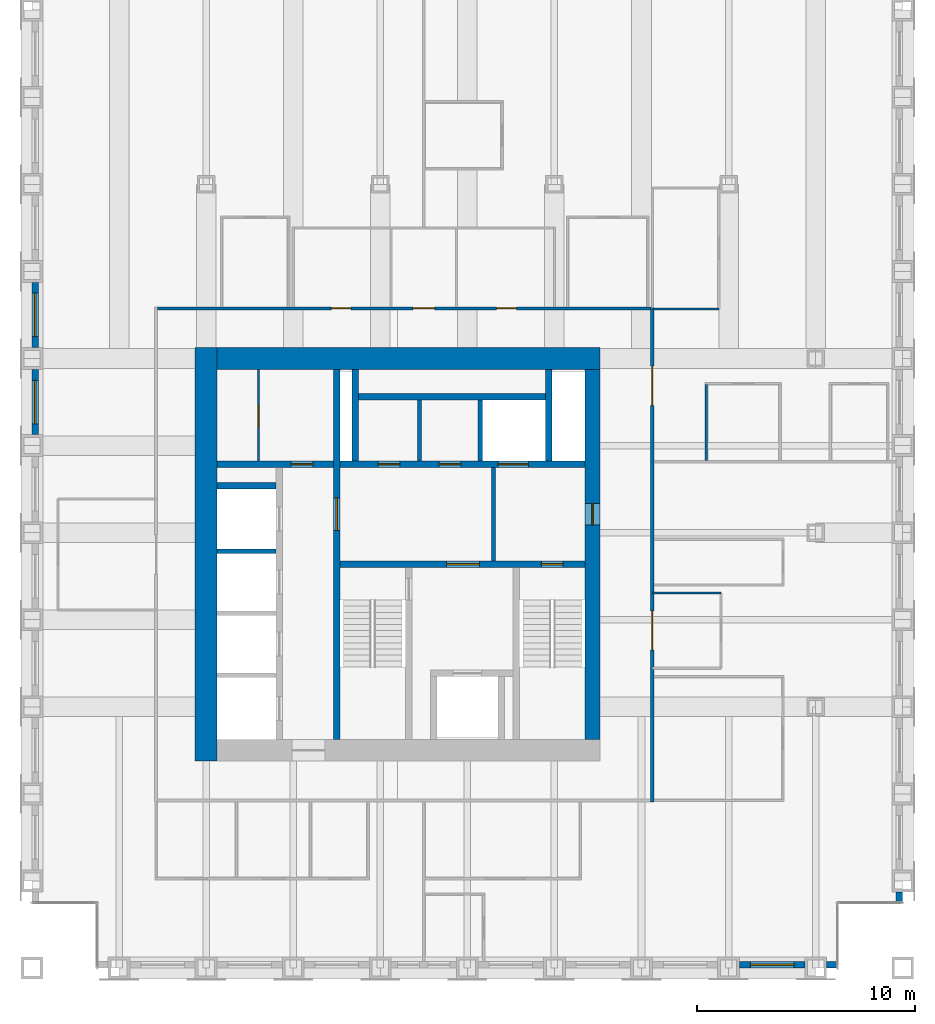
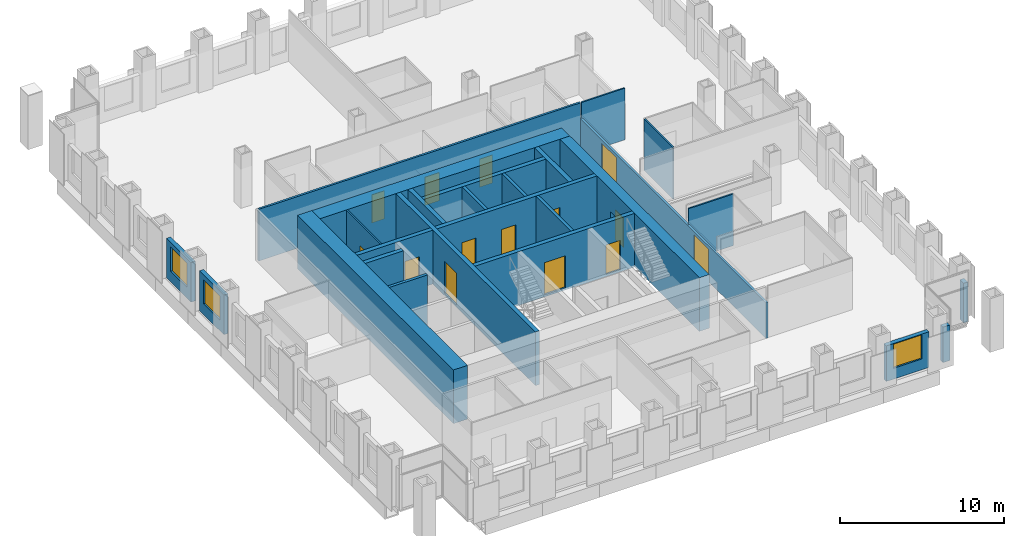
# One storey, part 10 of 14: 26 walls, 14 doors, 3 windows, 17 openings.
"""IFC4 building model written with IfcOpenShell, lengths in metres."""

from ifc_helpers import new_model, si_unit, direction, frame, frame_2d, origin, place, context, subcontext, project, spatial, rectangle, extrude, material, layer, layer_set, type_object, element, fill, save


model = new_model("IFC4")

# Units and contexts
model_context = context("Model", 3, precision=1e-05, world=origin(), true_north=direction((0.0, 1.0)))
body_context = subcontext(model_context, "Body", "Model", "MODEL_VIEW")
ifc_project = project(units=[si_unit("LENGTHUNIT", "METRE"), si_unit("AREAUNIT", "SQUARE_METRE"), si_unit("VOLUMEUNIT", "CUBIC_METRE"), si_unit("PLANEANGLEUNIT", "RADIAN"), si_unit("MASSUNIT", "GRAM", prefix="KILO")], contexts=[model_context])

# Site, building, storey
site_placement = place(None, origin())
site = spatial("IfcSite", under=ifc_project, at=site_placement, CompositionType="ELEMENT")
building_placement = place(site_placement, origin())
building = spatial("IfcBuilding", under=site, at=building_placement, Name="Rimbunsela Tower", CompositionType="ELEMENT")
storey_placement = place(building_placement, frame((0.0, 0.0, 234.199951171875)))
storey = spatial("IfcBuildingStorey", under=building, at=storey_placement, Name="L56", CompositionType="ELEMENT", Elevation=234.199951171875)

# Wall, opening, door
ifc_material_1 = material(Name="Concrete fc' 80 MPa", Category="concrete")
ifc_layer_1 = layer(ifc_material_1, 0.300048828125)
ifc_layer_set_1 = layer_set([ifc_layer_1], Name="Core internal wall 300")
wall_type_1 = type_object("IfcWallType", Name="Core internal wall 300", PredefinedType="SHEAR", material=ifc_layer_set_1)
wall_1_placement = place(storey_placement, frame((24.0, 18.5, -0.14990234375), z_axis=(0.0, 0.0, 1.0), x_axis=(0.0, 1.0, 0.0)))
wall_1 = element("IfcWall", 1, at=wall_1_placement, inside=storey, type_object=wall_type_1, Name="Core wall at stair A", PredefinedType="SHEAR", context=body_context, shape_type="SweptSolid", body=[
    extrude(rectangle(XDim=17.0, YDim=0.300048828125, at=frame_2d((8.5, 0.0))), origin(), (0.0, 0.0, 1.0), 4.0),
])
opening_1_placement = place(wall_1_placement, frame((9.60009765625, 0.0, 0.14990234375)))
opening_1 = element("IfcOpeningElement", 2, at=opening_1_placement, cuts=wall_1, Name="Opening D03", PredefinedType="OPENING", context=body_context, shape_type="SweptSolid", body=[
    extrude(rectangle(XDim=1.5, YDim=2.39990234375, at=frame_2d((0.75, 1.199951171875))), frame((0.0, 0.159912109375, 0.0), z_axis=(0.0, -1.0, 0.0), x_axis=(1.0, 0.0, 0.0)), (0.0, 0.0, 1.0), 0.320068359375),
])
ifc_material_2 = material(Name="Steel door, fire rated", Category="steel")
door_type_1 = type_object("IfcDoorType", Name="Core lobby door 1500", OperationType="DOUBLE_DOOR_DOUBLE_SWING", PredefinedType="DOOR", material=ifc_material_2)
door_1_placement = place(opening_1_placement, origin())
door_1 = element("IfcDoor", 3, at=door_1_placement, inside=storey, type_object=door_type_1, Name="West lobby door", OperationType="DOUBLE_DOOR_DOUBLE_SWING", OverallHeight=2.39990234375, OverallWidth=1.5, PredefinedType="DOOR", context=body_context, shape_type="SweptSolid", body=[
    extrude(rectangle(XDim=1.5, YDim=2.39990234375, at=frame_2d((0.75, 1.199951171875))), frame((0.0, 0.02490234375, 0.0), z_axis=(0.0, -1.0, 0.0), x_axis=(1.0, 0.0, 0.0)), (0.0, 0.0, 1.0), 0.050048828125),
])
fill(opening_1, door_1)

# Wall, openings, doors
wall_2_placement = place(storey_placement, frame((24.14990234375, 26.550048828125, -0.14990234375), z_axis=(0.0, 0.0, 1.0), x_axis=(1.0, 0.0, 0.0)))
wall_2 = element("IfcWall", 4, at=wall_2_placement, inside=storey, type_object=wall_type_1, Name="Core wall lobby south", PredefinedType="SHEAR", context=body_context, shape_type="SweptSolid", body=[
    extrude(rectangle(XDim=11.25, YDim=0.300048828125, at=frame_2d((5.625, 0.0))), origin(), (0.0, 0.0, 1.0), 4.0),
])
opening_2_placement = place(wall_2_placement, frame((9.25, 0.0, 0.14990234375)))
opening_2 = element("IfcOpeningElement", 5, at=opening_2_placement, cuts=wall_2, Name="Opening D01", PredefinedType="OPENING", context=body_context, shape_type="SweptSolid", body=[
    extrude(rectangle(XDim=1.0, YDim=2.199951171875, at=frame_2d((0.5, 1.10009765625))), frame((0.0, 0.159912109375, 0.0), z_axis=(0.0, -1.0, 0.0), x_axis=(1.0, 0.0, 0.0)), (0.0, 0.0, 1.0), 0.320068359375),
])
opening_3_placement = place(wall_2_placement, frame((4.89990234375, 0.0, 0.14990234375)))
opening_3 = element("IfcOpeningElement", 6, at=opening_3_placement, cuts=wall_2, Name="Opening D03", PredefinedType="OPENING", context=body_context, shape_type="SweptSolid", body=[
    extrude(rectangle(XDim=1.5, YDim=2.39990234375, at=frame_2d((0.75, 1.199951171875))), frame((0.0, 0.159912109375, 0.0), z_axis=(0.0, -1.0, 0.0), x_axis=(1.0, 0.0, 0.0)), (0.0, 0.0, 1.0), 0.320068359375),
])
door_2_placement = place(opening_3_placement, origin())
door_2 = element("IfcDoor", 7, at=door_2_placement, inside=storey, type_object=door_type_1, Name="Firefighting lobby door", OperationType="DOUBLE_DOOR_DOUBLE_SWING", OverallHeight=2.39990234375, OverallWidth=1.5, PredefinedType="DOOR", context=body_context, shape_type="SweptSolid", body=[
    extrude(rectangle(XDim=1.5, YDim=2.39990234375, at=frame_2d((0.75, 1.199951171875))), frame((0.0, 0.02490234375, 0.0), z_axis=(0.0, -1.0, 0.0), x_axis=(1.0, 0.0, 0.0)), (0.0, 0.0, 1.0), 0.050048828125),
])
fill(opening_3, door_2)
ifc_material_3 = material(Name="Steel door, fire rated", Category="steel")
door_type_2 = type_object("IfcDoorType", Name="Stair door 1000", OperationType="SINGLE_SWING_RIGHT", PredefinedType="DOOR", material=ifc_material_3)
door_3_placement = place(opening_2_placement, frame((1.0, 0.0, 0.0), z_axis=(0.0, 0.0, 1.0), x_axis=(-1.0, 0.0, 0.0)))
door_3 = element("IfcDoor", 8, at=door_3_placement, inside=storey, type_object=door_type_2, Name="Stair B door", OperationType="SINGLE_SWING_RIGHT", OverallHeight=2.199951171875, OverallWidth=1.0, PredefinedType="DOOR", context=body_context, shape_type="SweptSolid", body=[
    extrude(rectangle(XDim=1.0, YDim=2.199951171875, at=frame_2d((0.5, 1.10009765625))), frame((0.0, 0.02490234375, 0.0), z_axis=(0.0, -1.0, 0.0), x_axis=(1.0, 0.0, 0.0)), (0.0, 0.0, 1.0), 0.050048828125),
])
fill(opening_2, door_3)

wall_3_placement = place(storey_placement, frame((24.14990234375, 31.14990234375, -0.14990234375), z_axis=(0.0, 0.0, 1.0), x_axis=(1.0, 0.0, 0.0)))
wall_3 = element("IfcWall", 9, at=wall_3_placement, inside=storey, type_object=wall_type_1, Name="Lift shaft front north", PredefinedType="SHEAR", context=body_context, shape_type="SweptSolid", body=[
    extrude(rectangle(XDim=11.25, YDim=0.300048828125, at=frame_2d((5.625, 0.0))), origin(), (0.0, 0.0, 1.0), 4.0),
])
opening_4_placement = place(wall_3_placement, frame((1.75, 0.0, 0.14990234375)))
opening_4 = element("IfcOpeningElement", 10, at=opening_4_placement, cuts=wall_3, Name="Opening D19", PredefinedType="OPENING", context=body_context, shape_type="SweptSolid", body=[
    extrude(rectangle(XDim=1.0, YDim=2.199951171875, at=frame_2d((0.5, 1.10009765625))), frame((0.0, 0.159912109375, 0.0), z_axis=(0.0, -1.0, 0.0), x_axis=(1.0, 0.0, 0.0)), (0.0, 0.0, 1.0), 0.320068359375),
])
opening_5_placement = place(wall_3_placement, frame((4.550048828125, 0.0, 0.14990234375)))
opening_5 = element("IfcOpeningElement", 11, at=opening_5_placement, cuts=wall_3, Name="Opening D19", PredefinedType="OPENING", context=body_context, shape_type="SweptSolid", body=[
    extrude(rectangle(XDim=1.0, YDim=2.199951171875, at=frame_2d((0.5, 1.10009765625))), frame((0.0, 0.159912109375, 0.0), z_axis=(0.0, -1.0, 0.0), x_axis=(1.0, 0.0, 0.0)), (0.0, 0.0, 1.0), 0.320068359375),
])
opening_6_placement = place(wall_3_placement, frame((7.25, 0.0, 0.14990234375)))
opening_6 = element("IfcOpeningElement", 12, at=opening_6_placement, cuts=wall_3, Name="Opening LD3", PredefinedType="OPENING", context=body_context, shape_type="SweptSolid", body=[
    extrude(rectangle(XDim=1.39990234375, YDim=2.39990234375, at=frame_2d((0.699951171875, 1.199951171875))), frame((0.0, 0.159912109375, 0.0), z_axis=(0.0, -1.0, 0.0), x_axis=(1.0, 0.0, 0.0)), (0.0, 0.0, 1.0), 0.320068359375),
])
ifc_material_4 = material(Name="Steel door, fire rated", Category="steel")
door_type_3 = type_object("IfcDoorType", Name="Lift landing door 1400", OperationType="DOUBLE_DOOR_SLIDING", PredefinedType="DOOR", material=ifc_material_4)
door_4_placement = place(opening_6_placement, origin())
door_4 = element("IfcDoor", 13, at=door_4_placement, inside=storey, type_object=door_type_3, Name="Lift landing door FL2", OperationType="DOUBLE_DOOR_SLIDING", OverallHeight=2.39990234375, OverallWidth=1.39990234375, PredefinedType="DOOR", context=body_context, shape_type="SweptSolid", body=[
    extrude(rectangle(XDim=1.39990234375, YDim=2.39990234375, at=frame_2d((0.699951171875, 1.199951171875))), frame((0.0, 0.02490234375, 0.0), z_axis=(0.0, -1.0, 0.0), x_axis=(1.0, 0.0, 0.0)), (0.0, 0.0, 1.0), 0.050048828125),
])
fill(opening_6, door_4)
ifc_material_5 = material(Name="Steel door, fire rated", Category="steel")
door_type_4 = type_object("IfcDoorType", Name="Service door 1000 fire rated", OperationType="SINGLE_SWING_LEFT", PredefinedType="DOOR", material=ifc_material_5)
door_5_placement = place(opening_4_placement, origin())
door_5 = element("IfcDoor", 14, at=door_5_placement, inside=storey, type_object=door_type_4, Name="IT room door", OperationType="SINGLE_SWING_LEFT", OverallHeight=2.199951171875, OverallWidth=1.0, PredefinedType="DOOR", context=body_context, shape_type="SweptSolid", body=[
    extrude(rectangle(XDim=1.0, YDim=2.199951171875, at=frame_2d((0.5, 1.10009765625))), frame((0.0, 0.02490234375, 0.0), z_axis=(0.0, -1.0, 0.0), x_axis=(1.0, 0.0, 0.0)), (0.0, 0.0, 1.0), 0.050048828125),
])
fill(opening_4, door_5)
door_6_placement = place(opening_5_placement, origin())
door_6 = element("IfcDoor", 15, at=door_6_placement, inside=storey, type_object=door_type_4, Name="Tenant store door", OperationType="SINGLE_SWING_LEFT", OverallHeight=2.199951171875, OverallWidth=1.0, PredefinedType="DOOR", context=body_context, shape_type="SweptSolid", body=[
    extrude(rectangle(XDim=1.0, YDim=2.199951171875, at=frame_2d((0.5, 1.10009765625))), frame((0.0, 0.02490234375, 0.0), z_axis=(0.0, -1.0, 0.0), x_axis=(1.0, 0.0, 0.0)), (0.0, 0.0, 1.0), 0.050048828125),
])
fill(opening_5, door_6)

# Wall, opening, door
wall_4_placement = place(storey_placement, frame((18.5, 31.14990234375, -0.14990234375), z_axis=(0.0, 0.0, 1.0), x_axis=(1.0, 0.0, 0.0)))
wall_4 = element("IfcWall", 16, at=wall_4_placement, inside=storey, type_object=wall_type_1, Name="Store wall", PredefinedType="SHEAR", context=body_context, shape_type="SweptSolid", body=[
    extrude(rectangle(XDim=5.35009765625, YDim=0.300048828125, at=frame_2d((2.675048828125, 0.0))), origin(), (0.0, 0.0, 1.0), 4.0),
])
opening_7_placement = place(wall_4_placement, frame((3.39990234375, 0.0, 0.14990234375)))
opening_7 = element("IfcOpeningElement", 17, at=opening_7_placement, cuts=wall_4, Name="Opening D19", PredefinedType="OPENING", context=body_context, shape_type="SweptSolid", body=[
    extrude(rectangle(XDim=1.0, YDim=2.199951171875, at=frame_2d((0.5, 1.10009765625))), frame((0.0, 0.159912109375, 0.0), z_axis=(0.0, -1.0, 0.0), x_axis=(1.0, 0.0, 0.0)), (0.0, 0.0, 1.0), 0.320068359375),
])
door_7_placement = place(opening_7_placement, origin())
door_7 = element("IfcDoor", 18, at=door_7_placement, inside=storey, type_object=door_type_4, Name="Cleaners store door", OperationType="SINGLE_SWING_LEFT", OverallHeight=2.199951171875, OverallWidth=1.0, PredefinedType="DOOR", context=body_context, shape_type="SweptSolid", body=[
    extrude(rectangle(XDim=1.0, YDim=2.199951171875, at=frame_2d((0.5, 1.10009765625))), frame((0.0, 0.02490234375, 0.0), z_axis=(0.0, -1.0, 0.0), x_axis=(1.0, 0.0, 0.0)), (0.0, 0.0, 1.0), 0.050048828125),
])
fill(opening_7, door_7)

# Walls
wall_5_placement = place(storey_placement, frame((18.5, 30.14990234375, -0.14990234375), z_axis=(0.0, 0.0, 1.0), x_axis=(1.0, 0.0, 0.0)))
element("IfcWall", 19, at=wall_5_placement, inside=storey, type_object=wall_type_1, Name="Lift shaft rear west", PredefinedType="SHEAR", context=body_context, shape_type="SweptSolid", body=[
    extrude(rectangle(XDim=2.699951171875, YDim=0.300048828125, at=frame_2d((1.35009765625, 0.0))), origin(), (0.0, 0.0, 1.0), 4.0),
])
for number, where, z_axis, x_axis, name in (
    (20, (24.85009765625, 31.300048828125, -0.14990234375), (0.0, 0.0, 1.0), (0.0, 1.0, 0.0), "Riser wall"),
    (21, (33.75, 31.300048828125, -0.14990234375), (0.0, 0.0, 1.0), (0.0, 1.0, 0.0), "Riser wall"),
):
    element("IfcWall", number, at=place(storey_placement, frame(where, z_axis=z_axis, x_axis=x_axis)), inside=storey, type_object=wall_type_1, Name=name, PredefinedType="SHEAR", context=body_context, shape_type="SweptSolid", body=[
        extrude(rectangle(XDim=4.199951171875, YDim=0.300048828125, at=frame_2d((2.10009765625, 0.0))), origin(), (0.0, 0.0, 1.0), 4.0),
    ])
wall_6_placement = place(storey_placement, frame((25.0, 34.25, -0.14990234375), z_axis=(0.0, 0.0, 1.0), x_axis=(1.0, 0.0, 0.0)))
element("IfcWall", 22, at=wall_6_placement, inside=storey, type_object=wall_type_1, Name="Lift shaft rear north", PredefinedType="SHEAR", context=body_context, shape_type="SweptSolid", body=[
    extrude(rectangle(XDim=8.60009765625, YDim=0.300048828125, at=frame_2d((4.300048828125, 0.0))), origin(), (0.0, 0.0, 1.0), 4.0),
])

# Wall, opening, door
ifc_material_6 = material(Name="Concrete blockwork", Category="masonry")
ifc_layer_2 = layer(ifc_material_6, 0.10009765625)
ifc_layer_set_2 = layer_set([ifc_layer_2], Name="Core room partition 100")
wall_type_2 = type_object("IfcWallType", Name="Core room partition 100", PredefinedType="PARTITIONING", material=ifc_layer_set_2)
wall_7_placement = place(storey_placement, frame((20.39990234375, 31.300048828125, 0.0), z_axis=(0.0, 0.0, 1.0), x_axis=(0.0, 1.0, 0.0)))
wall_7 = element("IfcWall", 23, at=wall_7_placement, inside=storey, type_object=wall_type_2, Name="Equipment store wall", PredefinedType="PARTITIONING", context=body_context, shape_type="SweptSolid", body=[
    extrude(rectangle(XDim=4.199951171875, YDim=0.10009765625, at=frame_2d((2.10009765625, 0.0))), origin(), (0.0, 0.0, 1.0), 3.85009765625),
])
opening_8_placement = place(wall_7_placement, frame((1.550048828125, 0.0, 0.0)))
opening_8 = element("IfcOpeningElement", 24, at=opening_8_placement, cuts=wall_7, Name="Opening D19", PredefinedType="OPENING", context=body_context, shape_type="SweptSolid", body=[
    extrude(rectangle(XDim=1.0, YDim=2.199951171875, at=frame_2d((0.5, 1.10009765625))), frame((0.0, 0.06005859375, 0.0), z_axis=(0.0, -1.0, 0.0), x_axis=(1.0, 0.0, 0.0)), (0.0, 0.0, 1.0), 0.1201171875),
])
door_8_placement = place(opening_8_placement, origin())
door_8 = element("IfcDoor", 25, at=door_8_placement, inside=storey, type_object=door_type_4, Name="Equipment store door", OperationType="SINGLE_SWING_LEFT", OverallHeight=2.199951171875, OverallWidth=1.0, PredefinedType="DOOR", context=body_context, shape_type="SweptSolid", body=[
    extrude(rectangle(XDim=1.0, YDim=2.199951171875, at=frame_2d((0.5, 1.10009765625))), frame((0.0, 0.02490234375, 0.0), z_axis=(0.0, -1.0, 0.0), x_axis=(1.0, 0.0, 0.0)), (0.0, 0.0, 1.0), 0.050048828125),
])
fill(opening_8, door_8)

# Walls
ifc_material_7 = material(Name="Concrete fc' 80 MPa", Category="concrete")
ifc_layer_3 = layer(ifc_material_7, 1.0)
ifc_layer_set_3 = layer_set([ifc_layer_3], Name="Core wall 1000")
wall_type_3 = type_object("IfcWallType", Name="Core wall 1000", PredefinedType="SHEAR", material=ifc_layer_set_3)
wall_8_placement = place(storey_placement, frame((18.0, 17.5, -0.14990234375), z_axis=(0.0, 0.0, 1.0), x_axis=(0.0, 1.0, 0.0)))
element("IfcWall", 26, at=wall_8_placement, inside=storey, type_object=wall_type_3, Name="Core wall west", PredefinedType="SHEAR", context=body_context, shape_type="SweptSolid", body=[
    extrude(rectangle(XDim=19.0, YDim=1.0, at=frame_2d((9.5, 0.0))), origin(), (0.0, 0.0, 1.0), 4.0),
])
wall_9_placement = place(storey_placement, frame((18.5, 36.0, -0.14990234375), z_axis=(0.0, 0.0, 1.0), x_axis=(1.0, 0.0, 0.0)))
element("IfcWall", 27, at=wall_9_placement, inside=storey, type_object=wall_type_3, Name="Core wall north", PredefinedType="SHEAR", context=body_context, shape_type="SweptSolid", body=[
    extrude(rectangle(XDim=17.60009765625, YDim=1.0, at=frame_2d((8.800048828125, 0.0))), origin(), (0.0, 0.0, 1.0), 4.0),
])

# Wall, opening, door
ifc_material_8 = material(Name="Concrete fc' 80 MPa", Category="concrete")
ifc_layer_4 = layer(ifc_material_8, 0.699951171875)
ifc_layer_set_4 = layer_set([ifc_layer_4], Name="Core wall 700 east")
wall_type_4 = type_object("IfcWallType", Name="Core wall 700 east", PredefinedType="SHEAR", material=ifc_layer_set_4)
wall_10_placement = place(storey_placement, frame((35.75, 18.5, -0.14990234375), z_axis=(0.0, 0.0, 1.0), x_axis=(0.0, 1.0, 0.0)))
wall_10 = element("IfcWall", 28, at=wall_10_placement, inside=storey, type_object=wall_type_4, Name="Core wall east", PredefinedType="SHEAR", context=body_context, shape_type="SweptSolid", body=[
    extrude(rectangle(XDim=17.0, YDim=0.699951171875, at=frame_2d((8.5, 0.0))), origin(), (0.0, 0.0, 1.0), 4.0),
])
opening_9_placement = place(wall_10_placement, frame((9.85009765625, 0.0, 0.14990234375)))
opening_9 = element("IfcOpeningElement", 29, at=opening_9_placement, cuts=wall_10, Name="Opening D01", PredefinedType="OPENING", context=body_context, shape_type="SweptSolid", body=[
    extrude(rectangle(XDim=1.0, YDim=2.199951171875, at=frame_2d((0.5, 1.10009765625))), frame((0.0, 0.35986328125, 0.0), z_axis=(0.0, -1.0, 0.0), x_axis=(1.0, 0.0, 0.0)), (0.0, 0.0, 1.0), 0.719970703125),
])
door_9_placement = place(opening_9_placement, origin())
door_9 = element("IfcDoor", 30, at=door_9_placement, inside=storey, type_object=door_type_2, Name="Firefighting lobby 2 door", OperationType="SINGLE_SWING_RIGHT", OverallHeight=2.199951171875, OverallWidth=1.0, PredefinedType="DOOR", context=body_context, shape_type="SweptSolid", body=[
    extrude(rectangle(XDim=1.0, YDim=2.199951171875, at=frame_2d((0.5, 1.10009765625))), frame((0.0, 0.02490234375, 0.0), z_axis=(0.0, -1.0, 0.0), x_axis=(1.0, 0.0, 0.0)), (0.0, 0.0, 1.0), 0.050048828125),
])
fill(opening_9, door_9)

# Walls
ifc_material_9 = material(Name="Concrete blockwork", Category="masonry")
ifc_layer_5 = layer(ifc_material_9, 0.199951171875)
ifc_layer_set_5 = layer_set([ifc_layer_5], Name="Lift shaft wall 200")
wall_type_5 = type_object("IfcWallType", Name="Lift shaft wall 200", PredefinedType="SOLIDWALL", material=ifc_layer_set_5)
for number, where, z_axis, x_axis, name in (
    (31, (27.800048828125, 31.300048828125, -0.14990234375), (0.0, 0.0, 1.0), (0.0, 1.0, 0.0), "Lift shaft separation"),
    (32, (30.60009765625, 31.300048828125, -0.14990234375), (0.0, 0.0, 1.0), (0.0, 1.0, 0.0), "Lift shaft separation"),
):
    element("IfcWall", number, at=place(storey_placement, frame(where, z_axis=z_axis, x_axis=x_axis)), inside=storey, type_object=wall_type_5, Name=name, PredefinedType="SOLIDWALL", context=body_context, shape_type="SweptSolid", body=[
        extrude(rectangle(XDim=2.800048828125, YDim=0.199951171875, at=frame_2d((1.39990234375, 0.0))), origin(), (0.0, 0.0, 1.0), 4.0),
    ])
wall_11_placement = place(storey_placement, frame((18.5, 27.14990234375, -0.14990234375), z_axis=(0.0, 0.0, 1.0), x_axis=(1.0, 0.0, 0.0)))
element("IfcWall", 33, at=wall_11_placement, inside=storey, type_object=wall_type_5, Name="Lift shaft separation", PredefinedType="SOLIDWALL", context=body_context, shape_type="SweptSolid", body=[
    extrude(rectangle(XDim=2.699951171875, YDim=0.199951171875, at=frame_2d((1.35009765625, 0.0))), origin(), (0.0, 0.0, 1.0), 4.0),
])
wall_12_placement = place(storey_placement, frame((31.199951171875, 26.699951171875, 0.0), z_axis=(0.0, 0.0, 1.0), x_axis=(0.0, 1.0, 0.0)))
element("IfcWall", 34, at=wall_12_placement, inside=storey, type_object=wall_type_5, Name="Firefighting lobby 2 wall", PredefinedType="SOLIDWALL", context=body_context, shape_type="SweptSolid", body=[
    extrude(rectangle(XDim=4.300048828125, YDim=0.199951171875, at=frame_2d((2.14990234375, 0.0))), origin(), (0.0, 0.0, 1.0), 3.85009765625),
])
ifc_material_10 = material(Name="Gypsum board on steel studs", Category="steel")
ifc_layer_6 = layer(ifc_material_10, 0.10009765625)
ifc_layer_set_6 = layer_set([ifc_layer_6], Name="Office partition 100")
wall_type_6 = type_object("IfcWallType", Name="Office partition 100", PredefinedType="PARTITIONING", material=ifc_layer_set_6)
wall_13_placement = place(storey_placement, frame((40.97509765625, 31.31005859375, 0.0), z_axis=(0.0, 0.0, 1.0), x_axis=(0.0, 1.0, 0.0)))
element("IfcWall", 35, at=wall_13_placement, inside=storey, type_object=wall_type_6, Name="Office partition", PredefinedType="PARTITIONING", context=body_context, shape_type="SweptSolid", body=[
    extrude(rectangle(XDim=3.489990234375, YDim=0.10009765625, at=frame_2d((1.7451171875, 0.0))), origin(), (0.0, 0.0, 1.0), 3.85009765625),
])
wall_14_placement = place(storey_placement, frame((41.64990234375, 25.22412109375, 0.0), z_axis=(0.0, 0.0, 1.0), x_axis=(-1.0, 0.0, 0.0)))
element("IfcWall", 36, at=wall_14_placement, inside=storey, type_object=wall_type_6, Name="Office partition", PredefinedType="PARTITIONING", context=body_context, shape_type="SweptSolid", body=[
    extrude(rectangle(XDim=3.14990234375, YDim=0.10009765625, at=frame_2d((1.574951171875, 0.0))), origin(), (0.0, 0.0, 1.0), 3.85009765625),
])
wall_15_placement = place(storey_placement, frame((38.5, 38.27587890625, 0.0), z_axis=(0.0, 0.0, 1.0), x_axis=(1.0, 0.0, 0.0)))
element("IfcWall", 37, at=wall_15_placement, inside=storey, type_object=wall_type_6, Name="Office partition", PredefinedType="PARTITIONING", context=body_context, shape_type="SweptSolid", body=[
    extrude(rectangle(XDim=3.050048828125, YDim=0.10009765625, at=frame_2d((1.52490234375, 0.0))), origin(), (0.0, 0.0, 1.0), 3.85009765625),
])

# Wall, opening, window
ifc_material_11 = material(Name="Precast concrete fc' 35 MPa", Category="concrete")
ifc_layer_7 = layer(ifc_material_11, 0.300048828125)
ifc_layer_set_7 = layer_set([ifc_layer_7], Name="Precast concrete fc' 35 MPa")
wall_type_7 = type_object("IfcWallType", Name="Precast facade panel 300", PredefinedType="ELEMENTEDWALL", material=ifc_layer_set_7)
wall_16_placement = place(storey_placement, frame((42.5, 8.14990234375, 0.0), z_axis=(0.0, 0.0, 1.0), x_axis=(1.0, 0.0, 0.0)))
wall_16 = element("IfcWall", 38, at=wall_16_placement, inside=storey, type_object=wall_type_7, Name="Facade panel S L56", PredefinedType="ELEMENTEDWALL", context=body_context, shape_type="SweptSolid", body=[
    extrude(rectangle(XDim=3.0, YDim=0.300048828125, at=frame_2d((1.5, 0.0))), origin(), (0.0, 0.0, 1.0), 2.650146484375),
])
opening_10_placement = place(wall_16_placement, frame((0.5, 0.0, 0.800048828125)))
opening_10 = element("IfcOpeningElement", 39, at=opening_10_placement, cuts=wall_16, Name="Opening W7", PredefinedType="OPENING", context=body_context, shape_type="SweptSolid", body=[
    extrude(rectangle(XDim=2.0, YDim=1.800048828125, at=frame_2d((1.0, 0.89990234375))), frame((0.0, 0.159912109375, 0.0), z_axis=(0.0, -1.0, 0.0), x_axis=(1.0, 0.0, 0.0)), (0.0, 0.0, 1.0), 0.320068359375),
])
ifc_material_12 = material(Name="Clear glass in aluminium frame", Category="aluminium")
window_type = type_object("IfcWindowType", Name="Window W7 2000x1800", PartitioningType="DOUBLE_PANEL_VERTICAL", PredefinedType="WINDOW", material=ifc_material_12)
window_1_placement = place(opening_10_placement, origin())
window_1 = element("IfcWindow", 40, at=window_1_placement, inside=storey, type_object=window_type, Name="Window L56", OverallHeight=1.800048828125, OverallWidth=2.0, PartitioningType="SINGLE_PANEL", PredefinedType="WINDOW", context=body_context, shape_type="SweptSolid", body=[
    extrude(rectangle(XDim=2.0, YDim=1.800048828125, at=frame_2d((1.0, 0.89990234375))), frame((0.0, 0.030029296875, 0.0), z_axis=(0.0, -1.0, 0.0), x_axis=(1.0, 0.0, 0.0)), (0.0, 0.0, 1.0), 0.06005859375),
])
fill(opening_10, window_1)

# Walls
wall_17_placement = place(storey_placement, frame((46.5, 8.14990234375, 0.0), z_axis=(0.0, 0.0, 1.0), x_axis=(1.0, 0.0, 0.0)))
element("IfcWall", 41, at=wall_17_placement, inside=storey, type_object=wall_type_7, Name="Facade panel S L56", PredefinedType="ELEMENTEDWALL", context=body_context, shape_type="SweptSolid", body=[
    extrude(rectangle(XDim=0.469970703125, YDim=0.300048828125, at=frame_2d((0.23486328125, 0.0))), origin(), (0.0, 0.0, 1.0), 2.650146484375),
])
wall_18_placement = place(storey_placement, frame((49.85009765625, 11.030029296875, 0.0), z_axis=(0.0, 0.0, 1.0), x_axis=(0.0, 1.0, 0.0)))
element("IfcWall", 42, at=wall_18_placement, inside=storey, type_object=wall_type_7, Name="Facade panel E L56", PredefinedType="ELEMENTEDWALL", context=body_context, shape_type="SweptSolid", body=[
    extrude(rectangle(XDim=0.469970703125, YDim=0.300048828125, at=frame_2d((0.23486328125, 0.0))), origin(), (0.0, 0.0, 1.0), 2.949951171875),
])

# Wall, opening, window
wall_19_placement = place(storey_placement, frame((10.14990234375, 35.5, 0.0), z_axis=(0.0, 0.0, 1.0), x_axis=(0.0, -1.0, 0.0)))
wall_19 = element("IfcWall", 43, at=wall_19_placement, inside=storey, type_object=wall_type_7, Name="Facade panel W L56", PredefinedType="ELEMENTEDWALL", context=body_context, shape_type="SweptSolid", body=[
    extrude(rectangle(XDim=3.0, YDim=0.300048828125, at=frame_2d((1.5, 0.0))), origin(), (0.0, 0.0, 1.0), 2.949951171875),
])
opening_11_placement = place(wall_19_placement, frame((0.5, 0.0, 0.800048828125)))
opening_11 = element("IfcOpeningElement", 44, at=opening_11_placement, cuts=wall_19, Name="Opening W7", PredefinedType="OPENING", context=body_context, shape_type="SweptSolid", body=[
    extrude(rectangle(XDim=2.0, YDim=1.800048828125, at=frame_2d((1.0, 0.89990234375))), frame((0.0, 0.159912109375, 0.0), z_axis=(0.0, -1.0, 0.0), x_axis=(1.0, 0.0, 0.0)), (0.0, 0.0, 1.0), 0.320068359375),
])
window_2_placement = place(opening_11_placement, origin())
window_2 = element("IfcWindow", 45, at=window_2_placement, inside=storey, type_object=window_type, Name="Window L56", OverallHeight=1.800048828125, OverallWidth=2.0, PartitioningType="SINGLE_PANEL", PredefinedType="WINDOW", context=body_context, shape_type="SweptSolid", body=[
    extrude(rectangle(XDim=2.0, YDim=1.800048828125, at=frame_2d((1.0, 0.89990234375))), frame((0.0, 0.030029296875, 0.0), z_axis=(0.0, -1.0, 0.0), x_axis=(1.0, 0.0, 0.0)), (0.0, 0.0, 1.0), 0.06005859375),
])
fill(opening_11, window_2)

wall_20_placement = place(storey_placement, frame((10.14990234375, 39.5, 0.0), z_axis=(0.0, 0.0, 1.0), x_axis=(0.0, -1.0, 0.0)))
wall_20 = element("IfcWall", 46, at=wall_20_placement, inside=storey, type_object=wall_type_7, Name="Facade panel W L56", PredefinedType="ELEMENTEDWALL", context=body_context, shape_type="SweptSolid", body=[
    extrude(rectangle(XDim=3.0, YDim=0.300048828125, at=frame_2d((1.5, 0.0))), origin(), (0.0, 0.0, 1.0), 2.949951171875),
])
opening_12_placement = place(wall_20_placement, frame((0.5, 0.0, 0.800048828125)))
opening_12 = element("IfcOpeningElement", 47, at=opening_12_placement, cuts=wall_20, Name="Opening W7", PredefinedType="OPENING", context=body_context, shape_type="SweptSolid", body=[
    extrude(rectangle(XDim=2.0, YDim=1.800048828125, at=frame_2d((1.0, 0.89990234375))), frame((0.0, 0.159912109375, 0.0), z_axis=(0.0, -1.0, 0.0), x_axis=(1.0, 0.0, 0.0)), (0.0, 0.0, 1.0), 0.320068359375),
])
window_3_placement = place(opening_12_placement, origin())
window_3 = element("IfcWindow", 48, at=window_3_placement, inside=storey, type_object=window_type, Name="Window L56", OverallHeight=1.800048828125, OverallWidth=2.0, PartitioningType="SINGLE_PANEL", PredefinedType="WINDOW", context=body_context, shape_type="SweptSolid", body=[
    extrude(rectangle(XDim=2.0, YDim=1.800048828125, at=frame_2d((1.0, 0.89990234375))), frame((0.0, 0.030029296875, 0.0), z_axis=(0.0, -1.0, 0.0), x_axis=(1.0, 0.0, 0.0)), (0.0, 0.0, 1.0), 0.06005859375),
])
fill(opening_12, window_3)

# Wall, openings, doors
ifc_material_13 = material(Name="Fire-rated gypsum board on steel studs, EI 60", Category="steel")
ifc_layer_8 = layer(ifc_material_13, 0.14990234375)
ifc_layer_set_8 = layer_set([ifc_layer_8], Name="Rated corridor wall 150")
wall_type_8 = type_object("IfcWallType", Name="Rated corridor wall 150", PredefinedType="PARTITIONING", material=ifc_layer_set_8)
wall_21_placement = place(storey_placement, frame((38.5, 15.625, 0.0), z_axis=(0.0, 0.0, 1.0), x_axis=(0.0, 1.0, 0.0)))
wall_21 = element("IfcWall", 49, at=wall_21_placement, inside=storey, type_object=wall_type_8, Name="Corridor wall east", PredefinedType="PARTITIONING", context=body_context, shape_type="SweptSolid", body=[
    extrude(rectangle(XDim=22.75, YDim=0.14990234375, at=frame_2d((11.375, 0.0))), origin(), (0.0, 0.0, 1.0), 2.650146484375),
])
opening_13_placement = place(wall_21_placement, frame((6.97412109375, 0.0, 0.0)))
opening_13 = element("IfcOpeningElement", 50, at=opening_13_placement, cuts=wall_21, Name="Opening D09", PredefinedType="OPENING", context=body_context, shape_type="SweptSolid", body=[
    extrude(rectangle(XDim=1.800048828125, YDim=2.39990234375, at=frame_2d((0.89990234375, 1.199951171875))), frame((0.0, 0.0849609375, 0.0), z_axis=(0.0, -1.0, 0.0), x_axis=(1.0, 0.0, 0.0)), (0.0, 0.0, 1.0), 0.169921875),
])
opening_14_placement = place(wall_21_placement, frame((18.22607421875, 0.0, 0.0)))
opening_14 = element("IfcOpeningElement", 51, at=opening_14_placement, cuts=wall_21, Name="Opening D09", PredefinedType="OPENING", context=body_context, shape_type="SweptSolid", body=[
    extrude(rectangle(XDim=1.800048828125, YDim=2.39990234375, at=frame_2d((0.89990234375, 1.199951171875))), frame((0.0, 0.0849609375, 0.0), z_axis=(0.0, -1.0, 0.0), x_axis=(1.0, 0.0, 0.0)), (0.0, 0.0, 1.0), 0.169921875),
])
ifc_material_14 = material(Name="Glazed aluminium door, fire rated", Category="aluminium")
door_type_5 = type_object("IfcDoorType", Name="Tenancy door 1800 glazed", OperationType="DOUBLE_DOOR_DOUBLE_SWING", PredefinedType="DOOR", material=ifc_material_14)
door_10_placement = place(opening_13_placement, origin())
door_10 = element("IfcDoor", 52, at=door_10_placement, inside=storey, type_object=door_type_5, Name="Tenancy door", OperationType="DOUBLE_DOOR_DOUBLE_SWING", OverallHeight=2.39990234375, OverallWidth=1.800048828125, PredefinedType="DOOR", context=body_context, shape_type="SweptSolid", body=[
    extrude(rectangle(XDim=1.800048828125, YDim=2.39990234375, at=frame_2d((0.89990234375, 1.199951171875))), frame((0.0, 0.02490234375, 0.0), z_axis=(0.0, -1.0, 0.0), x_axis=(1.0, 0.0, 0.0)), (0.0, 0.0, 1.0), 0.050048828125),
])
fill(opening_13, door_10)
door_11_placement = place(opening_14_placement, origin())
door_11 = element("IfcDoor", 53, at=door_11_placement, inside=storey, type_object=door_type_5, Name="Tenancy door", OperationType="DOUBLE_DOOR_DOUBLE_SWING", OverallHeight=2.39990234375, OverallWidth=1.800048828125, PredefinedType="DOOR", context=body_context, shape_type="SweptSolid", body=[
    extrude(rectangle(XDim=1.800048828125, YDim=2.39990234375, at=frame_2d((0.89990234375, 1.199951171875))), frame((0.0, 0.02490234375, 0.0), z_axis=(0.0, -1.0, 0.0), x_axis=(1.0, 0.0, 0.0)), (0.0, 0.0, 1.0), 0.050048828125),
])
fill(opening_14, door_11)

wall_22_placement = place(storey_placement, frame((15.77490234375, 38.300048828125, 0.0), z_axis=(0.0, 0.0, 1.0), x_axis=(1.0, 0.0, 0.0)))
wall_22 = element("IfcWall", 54, at=wall_22_placement, inside=storey, type_object=wall_type_8, Name="Corridor wall north", PredefinedType="PARTITIONING", context=body_context, shape_type="SweptSolid", body=[
    extrude(rectangle(XDim=22.650146484375, YDim=0.14990234375, at=frame_2d((11.3251953125, 0.0))), origin(), (0.0, 0.0, 1.0), 3.85009765625),
])
opening_15_placement = place(wall_22_placement, frame((7.97509765625, 0.0, 0.0)))
opening_15 = element("IfcOpeningElement", 55, at=opening_15_placement, cuts=wall_22, Name="Opening D04", PredefinedType="OPENING", context=body_context, shape_type="SweptSolid", body=[
    extrude(rectangle(XDim=0.89990234375, YDim=2.10009765625, at=frame_2d((0.449951171875, 1.050048828125))), frame((0.0, 0.0849609375, 0.0), z_axis=(0.0, -1.0, 0.0), x_axis=(1.0, 0.0, 0.0)), (0.0, 0.0, 1.0), 0.169921875),
])
opening_16_placement = place(wall_22_placement, frame((11.72509765625, 0.0, 0.0)))
opening_16 = element("IfcOpeningElement", 56, at=opening_16_placement, cuts=wall_22, Name="Opening D05", PredefinedType="OPENING", context=body_context, shape_type="SweptSolid", body=[
    extrude(rectangle(XDim=1.0, YDim=2.10009765625, at=frame_2d((0.5, 1.050048828125))), frame((0.0, 0.0849609375, 0.0), z_axis=(0.0, -1.0, 0.0), x_axis=(1.0, 0.0, 0.0)), (0.0, 0.0, 1.0), 0.169921875),
])
opening_17_placement = place(wall_22_placement, frame((15.574951171875, 0.0, 0.0)))
opening_17 = element("IfcOpeningElement", 57, at=opening_17_placement, cuts=wall_22, Name="Opening D04", PredefinedType="OPENING", context=body_context, shape_type="SweptSolid", body=[
    extrude(rectangle(XDim=0.89990234375, YDim=2.10009765625, at=frame_2d((0.449951171875, 1.050048828125))), frame((0.0, 0.0849609375, 0.0), z_axis=(0.0, -1.0, 0.0), x_axis=(1.0, 0.0, 0.0)), (0.0, 0.0, 1.0), 0.169921875),
])
ifc_material_15 = material(Name="Timber door", Category="wood")
door_type_6 = type_object("IfcDoorType", Name="Accessible WC door 1000", OperationType="SLIDING_TO_LEFT", PredefinedType="DOOR", material=ifc_material_15)
door_12_placement = place(opening_16_placement, origin())
door_12 = element("IfcDoor", 58, at=door_12_placement, inside=storey, type_object=door_type_6, Name="Accessible WC door", OperationType="SLIDING_TO_LEFT", OverallHeight=2.10009765625, OverallWidth=1.0, PredefinedType="DOOR", context=body_context, shape_type="SweptSolid", body=[
    extrude(rectangle(XDim=1.0, YDim=2.10009765625, at=frame_2d((0.5, 1.050048828125))), frame((0.0, 0.02490234375, 0.0), z_axis=(0.0, -1.0, 0.0), x_axis=(1.0, 0.0, 0.0)), (0.0, 0.0, 1.0), 0.050048828125),
])
fill(opening_16, door_12)
ifc_material_16 = material(Name="Timber door", Category="wood")
door_type_7 = type_object("IfcDoorType", Name="Toilet door 900", OperationType="SINGLE_SWING_LEFT", PredefinedType="DOOR", material=ifc_material_16)
door_13_placement = place(opening_15_placement, origin())
door_13 = element("IfcDoor", 59, at=door_13_placement, inside=storey, type_object=door_type_7, Name="Female WC door", OperationType="SINGLE_SWING_LEFT", OverallHeight=2.10009765625, OverallWidth=0.89990234375, PredefinedType="DOOR", context=body_context, shape_type="SweptSolid", body=[
    extrude(rectangle(XDim=0.89990234375, YDim=2.10009765625, at=frame_2d((0.449951171875, 1.050048828125))), frame((0.0, 0.02490234375, 0.0), z_axis=(0.0, -1.0, 0.0), x_axis=(1.0, 0.0, 0.0)), (0.0, 0.0, 1.0), 0.050048828125),
])
fill(opening_15, door_13)
door_14_placement = place(opening_17_placement, origin())
door_14 = element("IfcDoor", 60, at=door_14_placement, inside=storey, type_object=door_type_7, Name="Male WC door", OperationType="SINGLE_SWING_LEFT", OverallHeight=2.10009765625, OverallWidth=0.89990234375, PredefinedType="DOOR", context=body_context, shape_type="SweptSolid", body=[
    extrude(rectangle(XDim=0.89990234375, YDim=2.10009765625, at=frame_2d((0.449951171875, 1.050048828125))), frame((0.0, 0.02490234375, 0.0), z_axis=(0.0, -1.0, 0.0), x_axis=(1.0, 0.0, 0.0)), (0.0, 0.0, 1.0), 0.050048828125),
])
fill(opening_17, door_14)

save(model, "model.ifc")
